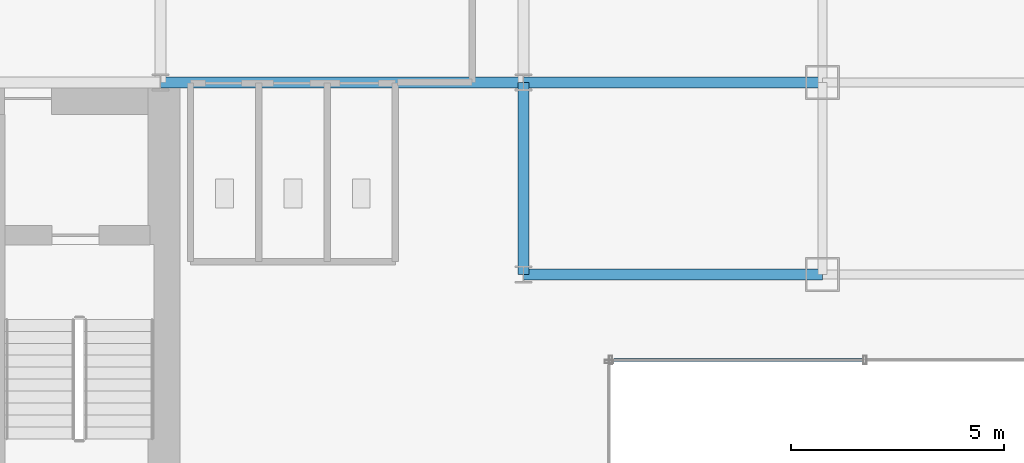
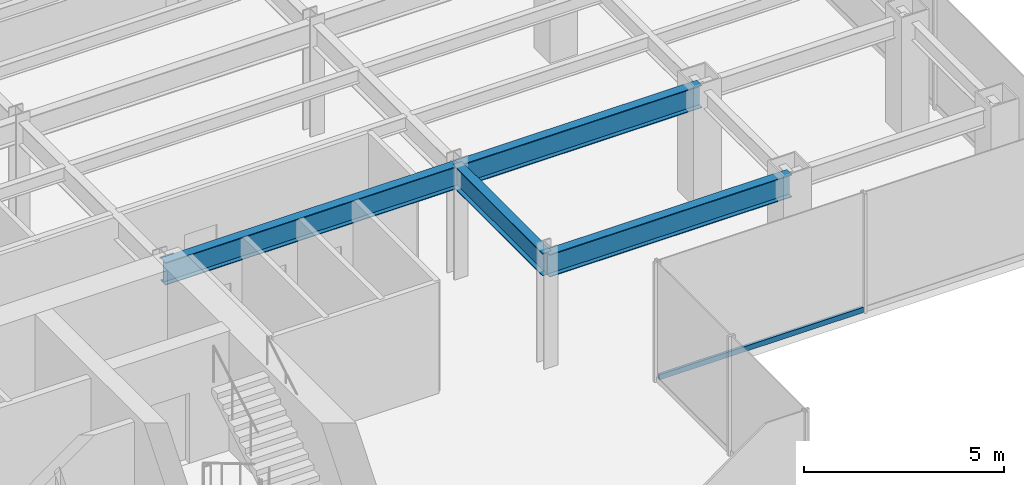
# One storey, part 9 of 26: 4 beams, 1 member, 1 element without a shape of its own.
"""IFC4 building model written with IfcOpenShell, lengths in metres."""

from ifc_helpers import new_model, si_unit, derived_unit, direction, frame, origin, origin_2d, place, context, subcontext, project, spatial, hollow_rectangle, i_section, extrude, source, transform, mapped, material, material_profile, profile_set, type_object, element, aggregate, save


model = new_model("IFC4")

# Units and contexts
model_context = context("Model", 3, precision=1e-05, world=origin(), true_north=direction((0.0, 1.0)))
body_context = subcontext(model_context, "Body", "Model", "MODEL_VIEW")
ifc_project = project(units=[si_unit("LENGTHUNIT", "METRE"), si_unit("AREAUNIT", "SQUARE_METRE"), si_unit("VOLUMEUNIT", "CUBIC_METRE"), si_unit("PLANEANGLEUNIT", "RADIAN"), si_unit("MASSUNIT", "GRAM", prefix="KILO"), derived_unit("THERMALTRANSMITTANCEUNIT", [(si_unit("POWERUNIT", "WATT"), 1), (si_unit("LENGTHUNIT", "METRE"), -2), (si_unit("THERMODYNAMICTEMPERATUREUNIT", "KELVIN"), -1)])], contexts=[model_context])

# Site, building, storey
site_placement = place(None, origin())
site = spatial("IfcSite", under=ifc_project, at=site_placement, CompositionType="ELEMENT")
building_placement = place(site_placement, origin())
building = spatial("IfcBuilding", under=site, at=building_placement, Name="Skarnbrae Concourse Arena and Tower", CompositionType="ELEMENT")
storey_placement = place(building_placement, frame((0.0, 0.0, 110.550048828125)))
storey = spatial("IfcBuildingStorey", under=building, at=storey_placement, Name="L27", CompositionType="ELEMENT", Elevation=110.550048828125)

# Beams
ifc_material_1 = material(Name="Steel CSA G40.21 350W", Category="steel")
ifc_material_profile_1 = material_profile(ifc_material_1, i_section(OverallWidth=0.256103515625, OverallDepth=0.693115234375, WebThickness=0.014404296875, FlangeThickness=0.023681640625, at=origin_2d()), Name="W690X170")
ifc_profile_set_1 = profile_set([ifc_material_profile_1], Name="Steel CSA G40.21 350W")
beam_type = type_object("IfcBeamType", Name="BM-GIRD-W690X170", PredefinedType="BEAM", material=ifc_profile_set_1)
shared_shape_1 = source(origin(), body_context, "Body", "SweptSolid", [
    extrude(i_section(OverallWidth=0.256103515625, OverallDepth=0.693115234375, WebThickness=0.014404296875, FlangeThickness=0.023681640625, at=origin_2d()), origin(), (0.0, 0.0, 1.0), 7.0),
])
for number, where, z_axis, x_axis, name in (
    (1, (42.0, 9.5, 3.053466796875), (1.0, 0.0, 0.0), (0.0, 1.0, 0.0), "L27 Primary E-W girder Y9.5-2"),
    (2, (42.0, 14.0, 3.053466796875), (1.0, 0.0, 0.0), (0.0, 1.0, 0.0), "L27 Primary E-W girder Y14.0-7"),
):
    element("IfcBeam", number, at=place(storey_placement, frame(where, z_axis=z_axis, x_axis=x_axis)), inside=storey, type_object=beam_type, Name=name, PredefinedType="BEAM", context=body_context, shape_type="MappedRepresentation", body=[
        mapped(shared_shape_1, transform((0.0, 0.0, 0.0))),
    ])
shared_shape_2 = source(origin(), body_context, "Body", "SweptSolid", [
    extrude(i_section(OverallWidth=0.256103515625, OverallDepth=0.693115234375, WebThickness=0.014404296875, FlangeThickness=0.023681640625, at=origin_2d()), origin(), (0.0, 0.0, 1.0), 8.5),
])
beam_1_placement = place(storey_placement, frame((33.5, 14.0, 3.053466796875), z_axis=(1.0, 0.0, 0.0), x_axis=(0.0, 1.0, 0.0)))
element("IfcBeam", 3, at=beam_1_placement, inside=storey, type_object=beam_type, Name="L27 Primary E-W girder Y14.0-6", PredefinedType="BEAM", context=body_context, shape_type="MappedRepresentation", body=[
    mapped(shared_shape_2, transform((0.0, 0.0, 0.0))),
])
shared_shape_3 = source(origin(), body_context, "Body", "SweptSolid", [
    extrude(i_section(OverallWidth=0.256103515625, OverallDepth=0.693115234375, WebThickness=0.014404296875, FlangeThickness=0.023681640625, at=origin_2d()), origin(), (0.0, 0.0, 1.0), 4.5),
])
beam_2_placement = place(storey_placement, frame((42.0, 9.5, 3.053466796875), z_axis=(0.0, 1.0, 0.0), x_axis=(-1.0, 0.0, 0.0)))
element("IfcBeam", 4, at=beam_2_placement, inside=storey, type_object=beam_type, Name="L27 Primary N-S girder X42.0-1", PredefinedType="BEAM", context=body_context, shape_type="MappedRepresentation", body=[
    mapped(shared_shape_3, transform((0.0, 0.0, 0.0))),
])

# Curtain wall, member
ifc_material_2 = material(Name="Bronze anodised aluminium 6063-T6", Category="aluminium")
curtain_wall_type = type_object("IfcCurtainWallType", Name="CW-SYS-04-MIDZONE", PredefinedType="USERDEFINED", material=ifc_material_2)
curtain_wall_placement = place(storey_placement, origin())
curtain_wall = element("IfcCurtainWall", 5, at=curtain_wall_placement, inside=storey, type_object=curtain_wall_type, Name="L27 Unitised curtain wall CW-L27-E03", ObjectType="UNITISED CURTAIN WALL", PredefinedType="USERDEFINED")
ifc_material_profile_2 = material_profile(ifc_material_2, hollow_rectangle(XDim=0.074951171875, YDim=0.159912109375, WallThickness=0.00439453125, at=origin_2d()), Name="ALU-TRAN-75X160")
ifc_profile_set_2 = profile_set([ifc_material_profile_2], Name="Bronze anodised aluminium 6063-T6")
member_type = type_object("IfcMemberType", Name="CWT-CW-04", PredefinedType="USERDEFINED", material=ifc_profile_set_2)
shared_shape_4 = source(origin(), body_context, "Body", "SweptSolid", [
    extrude(hollow_rectangle(XDim=0.074951171875, YDim=0.159912109375, WallThickness=0.00439453125, at=origin_2d()), origin(), (0.0, 0.0, 1.0), 5.887451171875),
])
member_placement = place(storey_placement, frame((44.074951171875, 7.5, 0.079833984375), z_axis=(1.0, 0.0, 0.0), x_axis=(0.0, 1.0, 0.0)))
member = element("IfcMember", 6, at=member_placement, type_object=member_type, Name="CW-L27-E03 Transom 1", ObjectType="TRANSOM", PredefinedType="USERDEFINED", context=body_context, shape_type="MappedRepresentation", body=[
    mapped(shared_shape_4, transform((0.0, 0.0, 0.0))),
])
aggregate(curtain_wall, [member])

save(model, "model.ifc")
